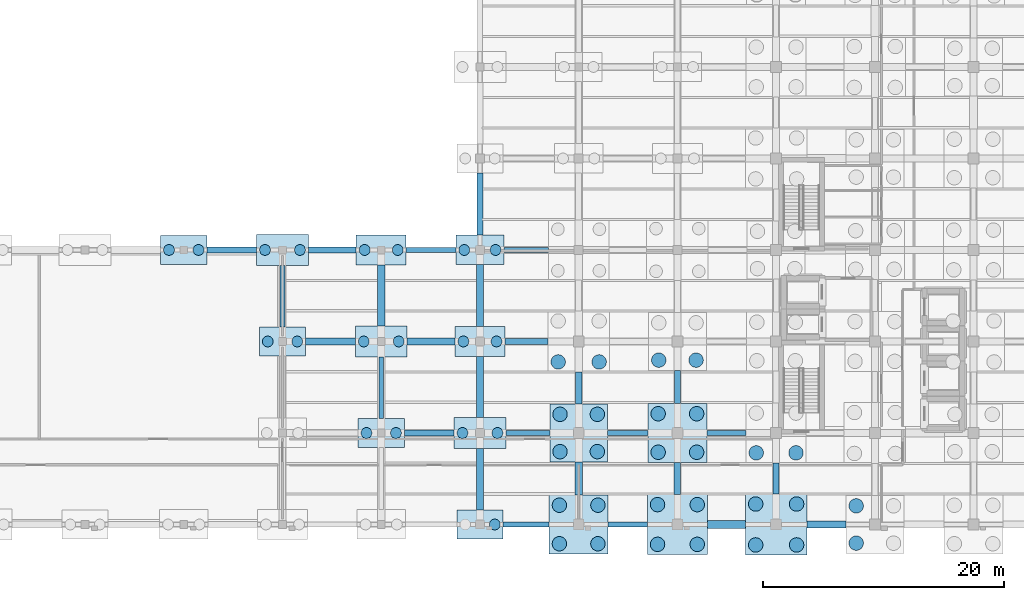
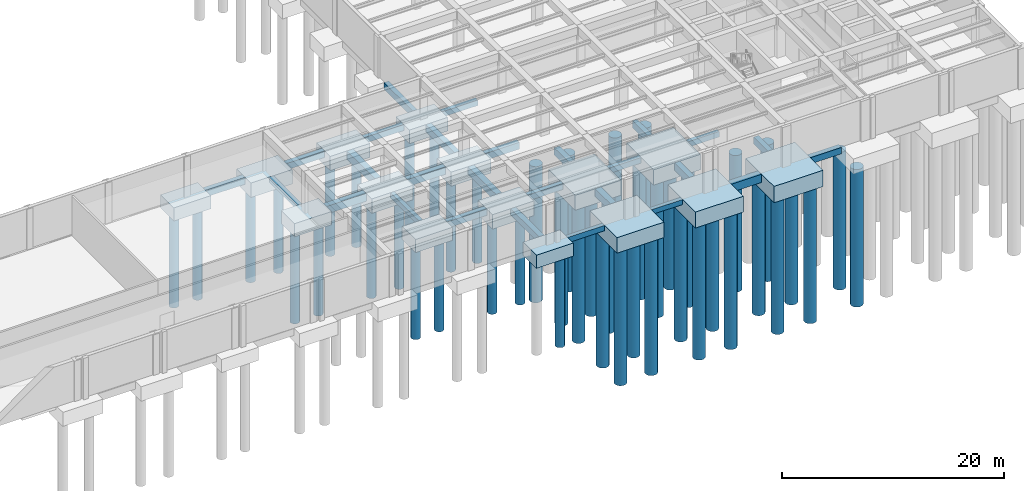
# One storey, part 2 of 29: 47 piles, 42 footings.
"""IFC4 building model written with IfcOpenShell, lengths in metres."""

from ifc_helpers import new_model, si_unit, direction, frame, origin, origin_2d, place, context, subcontext, project, spatial, rectangle, circle, extrude, material, material_profile, profile_set, type_object, element, save


model = new_model("IFC4")

# Units and contexts
model_context = context("Model", 3, precision=1e-05, world=origin(), true_north=direction((0.0, 1.0)))
body_context = subcontext(model_context, "Body", "Model", "MODEL_VIEW")
ifc_project = project(units=[si_unit("LENGTHUNIT", "METRE"), si_unit("AREAUNIT", "SQUARE_METRE"), si_unit("VOLUMEUNIT", "CUBIC_METRE"), si_unit("PLANEANGLEUNIT", "RADIAN"), si_unit("MASSUNIT", "GRAM", prefix="KILO")], contexts=[model_context])

# Site, building, storey
site_placement = place(None, origin())
site = spatial("IfcSite", under=ifc_project, at=site_placement, CompositionType="ELEMENT")
building_placement = place(site_placement, origin())
building = spatial("IfcBuilding", under=site, at=building_placement, Name="Qandaris Square Conservatory and Botanical Centre", CompositionType="ELEMENT")
storey_placement = place(building_placement, frame((0.0, 0.0, -4.800048828125)))
storey = spatial("IfcBuildingStorey", under=building, at=storey_placement, Name="B1", CompositionType="ELEMENT", Elevation=-4.800048828125)

# Piles
ifc_material_1 = material(Name="Concrete C50/60", Category="concrete")
ifc_material_profile_1 = material_profile(ifc_material_1, circle(Radius=0.60009765625, at=origin_2d()), Name="PILE D1200")
ifc_profile_set_1 = profile_set([ifc_material_profile_1], Name="Concrete C50/60")
pile_type_1 = type_object("IfcPileType", Name="Bored Pile D1200", PredefinedType="BORED", material=ifc_profile_set_1)
for number, where, z_axis, x_axis, name in (
    (1, (121.199951171875, 15.0, -1.599853515625), (0.0, 0.0, -1.0), (1.0, 0.0, 0.0), "Bored Pile B15-1"),
    (2, (124.39990234375, 15.0, -1.599853515625), (0.0, 0.0, -1.0), (1.0, 0.0, 0.0), "Bored Pile B15-2"),
    (3, (121.199951171875, 18.199951171875, -1.599853515625), (0.0, 0.0, -1.0), (1.0, 0.0, 0.0), "Bored Pile B15-3"),
    (4, (124.39990234375, 18.199951171875, -1.599853515625), (0.0, 0.0, -1.0), (1.0, 0.0, 0.0), "Bored Pile B15-4"),
):
    element("IfcPile", number, at=place(storey_placement, frame(where, z_axis=z_axis, x_axis=x_axis)), inside=storey, type_object=pile_type_1, Name=name, PredefinedType="BORED", context=body_context, shape_type="SweptSolid", body=[
        extrude(circle(Radius=0.60009765625, at=origin_2d()), origin(), (0.0, 0.0, 1.0), 15.10009765625),
    ])
for number, where, z_axis, x_axis, name in (
    (5, (121.25, 22.64990234375, -1.550048828125), (0.0, 0.0, -1.0), (1.0, 0.0, 0.0), "Bored Pile C15-1"),
    (6, (124.35009765625, 22.64990234375, -1.550048828125), (0.0, 0.0, -1.0), (1.0, 0.0, 0.0), "Bored Pile C15-2"),
    (7, (121.25, 25.75, -1.550048828125), (0.0, 0.0, -1.0), (1.0, 0.0, 0.0), "Bored Pile C15-3"),
    (8, (124.35009765625, 25.75, -1.550048828125), (0.0, 0.0, -1.0), (1.0, 0.0, 0.0), "Bored Pile C15-4"),
):
    element("IfcPile", number, at=place(storey_placement, frame(where, z_axis=z_axis, x_axis=x_axis)), inside=storey, type_object=pile_type_1, Name=name, PredefinedType="BORED", context=body_context, shape_type="SweptSolid", body=[
        extrude(circle(Radius=0.60009765625, at=origin_2d()), origin(), (0.0, 0.0, 1.0), 15.14990234375),
    ])
for number, where, z_axis, x_axis, name in (
    (9, (121.10009765625, 30.10009765625, -1.699951171875), (0.0, 0.0, -1.0), (1.0, 0.0, 0.0), "Bored Pile D15-1"),
    (10, (124.5, 30.10009765625, -1.699951171875), (0.0, 0.0, -1.0), (1.0, 0.0, 0.0), "Bored Pile D15-2"),
):
    element("IfcPile", number, at=place(storey_placement, frame(where, z_axis=z_axis, x_axis=x_axis)), inside=storey, type_object=pile_type_1, Name=name, PredefinedType="BORED", context=body_context, shape_type="SweptSolid", body=[
        extrude(circle(Radius=0.60009765625, at=origin_2d()), origin(), (0.0, 0.0, 1.0), 15.0),
    ])
for number, where, z_axis, x_axis, name in (
    (11, (129.35009765625, 14.949951171875, -1.64990234375), (0.0, 0.0, -1.0), (1.0, 0.0, 0.0), "Bored Pile B16-1"),
    (12, (132.64990234375, 14.949951171875, -1.64990234375), (0.0, 0.0, -1.0), (1.0, 0.0, 0.0), "Bored Pile B16-2"),
    (13, (129.35009765625, 18.25, -1.64990234375), (0.0, 0.0, -1.0), (1.0, 0.0, 0.0), "Bored Pile B16-3"),
    (14, (132.64990234375, 18.25, -1.64990234375), (0.0, 0.0, -1.0), (1.0, 0.0, 0.0), "Bored Pile B16-4"),
):
    element("IfcPile", number, at=place(storey_placement, frame(where, z_axis=z_axis, x_axis=x_axis)), inside=storey, type_object=pile_type_1, Name=name, PredefinedType="BORED", context=body_context, shape_type="SweptSolid", body=[
        extrude(circle(Radius=0.60009765625, at=origin_2d()), origin(), (0.0, 0.0, 1.0), 15.050048828125),
    ])
for number, where, z_axis, x_axis, name in (
    (15, (129.39990234375, 22.60009765625, -1.599853515625), (0.0, 0.0, -1.0), (1.0, 0.0, 0.0), "Bored Pile C16-1"),
    (16, (132.60009765625, 22.60009765625, -1.599853515625), (0.0, 0.0, -1.0), (1.0, 0.0, 0.0), "Bored Pile C16-2"),
    (17, (129.39990234375, 25.800048828125, -1.599853515625), (0.0, 0.0, -1.0), (1.0, 0.0, 0.0), "Bored Pile C16-3"),
    (18, (132.60009765625, 25.800048828125, -1.599853515625), (0.0, 0.0, -1.0), (1.0, 0.0, 0.0), "Bored Pile C16-4"),
):
    element("IfcPile", number, at=place(storey_placement, frame(where, z_axis=z_axis, x_axis=x_axis)), inside=storey, type_object=pile_type_1, Name=name, PredefinedType="BORED", context=body_context, shape_type="SweptSolid", body=[
        extrude(circle(Radius=0.60009765625, at=origin_2d()), origin(), (0.0, 0.0, 1.0), 15.10009765625),
    ])
for number, where, z_axis, x_axis, name in (
    (19, (129.449951171875, 30.25, -1.550048828125), (0.0, 0.0, -1.0), (1.0, 0.0, 0.0), "Bored Pile D16-1"),
    (20, (132.550048828125, 30.25, -1.550048828125), (0.0, 0.0, -1.0), (1.0, 0.0, 0.0), "Bored Pile D16-2"),
):
    element("IfcPile", number, at=place(storey_placement, frame(where, z_axis=z_axis, x_axis=x_axis)), inside=storey, type_object=pile_type_1, Name=name, PredefinedType="BORED", context=body_context, shape_type="SweptSolid", body=[
        extrude(circle(Radius=0.60009765625, at=origin_2d()), origin(), (0.0, 0.0, 1.0), 15.14990234375),
    ])
for number, where, z_axis, x_axis, name in (
    (21, (137.5, 14.89990234375, -1.699951171875), (0.0, 0.0, -1.0), (1.0, 0.0, 0.0), "Bored Pile B17-1"),
    (22, (140.89990234375, 14.89990234375, -1.699951171875), (0.0, 0.0, -1.0), (1.0, 0.0, 0.0), "Bored Pile B17-2"),
    (23, (137.5, 18.300048828125, -1.699951171875), (0.0, 0.0, -1.0), (1.0, 0.0, 0.0), "Bored Pile B17-3"),
    (24, (140.89990234375, 18.300048828125, -1.699951171875), (0.0, 0.0, -1.0), (1.0, 0.0, 0.0), "Bored Pile B17-4"),
):
    element("IfcPile", number, at=place(storey_placement, frame(where, z_axis=z_axis, x_axis=x_axis)), inside=storey, type_object=pile_type_1, Name=name, PredefinedType="BORED", context=body_context, shape_type="SweptSolid", body=[
        extrude(circle(Radius=0.60009765625, at=origin_2d()), origin(), (0.0, 0.0, 1.0), 15.0),
    ])
for number, where, z_axis, x_axis, name in (
    (25, (137.550048828125, 22.550048828125, -1.64990234375), (0.0, 0.0, -1.0), (1.0, 0.0, 0.0), "Bored Pile C17-1"),
    (26, (140.85009765625, 22.550048828125, -1.64990234375), (0.0, 0.0, -1.0), (1.0, 0.0, 0.0), "Bored Pile C17-2"),
):
    element("IfcPile", number, at=place(storey_placement, frame(where, z_axis=z_axis, x_axis=x_axis)), inside=storey, type_object=pile_type_1, Name=name, PredefinedType="BORED", context=body_context, shape_type="SweptSolid", body=[
        extrude(circle(Radius=0.60009765625, at=origin_2d()), origin(), (0.0, 0.0, 1.0), 15.050048828125),
    ])
for number, where, z_axis, x_axis, name in (
    (27, (145.85009765625, 15.050048828125, -1.550048828125), (0.0, 0.0, -1.0), (1.0, 0.0, 0.0), "Bored Pile B18-1"),
    (28, (145.85009765625, 18.14990234375, -1.550048828125), (0.0, 0.0, -1.0), (1.0, 0.0, 0.0), "Bored Pile B18-3"),
):
    element("IfcPile", number, at=place(storey_placement, frame(where, z_axis=z_axis, x_axis=x_axis)), inside=storey, type_object=pile_type_1, Name=name, PredefinedType="BORED", context=body_context, shape_type="SweptSolid", body=[
        extrude(circle(Radius=0.60009765625, at=origin_2d()), origin(), (0.0, 0.0, 1.0), 15.14990234375),
    ])
ifc_material_profile_2 = material_profile(ifc_material_1, circle(Radius=0.449951171875, at=origin_2d()), Name="PILE D900")
ifc_profile_set_2 = profile_set([ifc_material_profile_2], Name="Concrete C50/60")
pile_type_2 = type_object("IfcPileType", Name="Bored Pile D900", PredefinedType="BORED", material=ifc_profile_set_2)
for number, where, z_axis, x_axis, name in (
    (29, (88.77490234375, 39.39990234375, -1.349853515625), (0.0, 0.0, -1.0), (1.0, 0.0, 0.0), "Bored Pile E11-1"),
    (30, (91.22509765625, 39.39990234375, -1.349853515625), (0.0, 0.0, -1.0), (1.0, 0.0, 0.0), "Bored Pile E11-2"),
    (31, (96.97509765625, 31.800048828125, -1.349853515625), (0.0, 0.0, -1.0), (1.0, 0.0, 0.0), "Bored Pile D12-1"),
    (32, (99.425048828125, 31.800048828125, -1.349853515625), (0.0, 0.0, -1.0), (1.0, 0.0, 0.0), "Bored Pile D12-2"),
):
    element("IfcPile", number, at=place(storey_placement, frame(where, z_axis=z_axis, x_axis=x_axis)), inside=storey, type_object=pile_type_2, Name=name, PredefinedType="BORED", context=body_context, shape_type="SweptSolid", body=[
        extrude(circle(Radius=0.449951171875, at=origin_2d()), origin(), (0.0, 0.0, 1.0), 10.35009765625),
    ])
for number, where, z_axis, x_axis, name in (
    (33, (96.75, 39.39990234375, -1.5), (0.0, 0.0, -1.0), (1.0, 0.0, 0.0), "Bored Pile E12-1"),
    (34, (99.64990234375, 39.39990234375, -1.5), (0.0, 0.0, -1.0), (1.0, 0.0, 0.0), "Bored Pile E12-2"),
):
    element("IfcPile", number, at=place(storey_placement, frame(where, z_axis=z_axis, x_axis=x_axis)), inside=storey, type_object=pile_type_2, Name=name, PredefinedType="BORED", context=body_context, shape_type="SweptSolid", body=[
        extrude(circle(Radius=0.449951171875, at=origin_2d()), origin(), (0.0, 0.0, 1.0), 10.199951171875),
    ])
for number, where, z_axis, x_axis, name in (
    (35, (105.175048828125, 24.199951171875, -1.349853515625), (0.0, 0.0, -1.0), (1.0, 0.0, 0.0), "Bored Pile C13-1"),
    (36, (107.625, 24.199951171875, -1.349853515625), (0.0, 0.0, -1.0), (1.0, 0.0, 0.0), "Bored Pile C13-2"),
):
    element("IfcPile", number, at=place(storey_placement, frame(where, z_axis=z_axis, x_axis=x_axis)), inside=storey, type_object=pile_type_2, Name=name, PredefinedType="BORED", context=body_context, shape_type="SweptSolid", body=[
        extrude(circle(Radius=0.449951171875, at=origin_2d()), origin(), (0.0, 0.0, 1.0), 10.35009765625),
    ])
for number, where, z_axis, x_axis, name in (
    (37, (104.949951171875, 31.800048828125, -1.5), (0.0, 0.0, -1.0), (1.0, 0.0, 0.0), "Bored Pile D13-1"),
    (38, (107.85009765625, 31.800048828125, -1.5), (0.0, 0.0, -1.0), (1.0, 0.0, 0.0), "Bored Pile D13-2"),
):
    element("IfcPile", number, at=place(storey_placement, frame(where, z_axis=z_axis, x_axis=x_axis)), inside=storey, type_object=pile_type_2, Name=name, PredefinedType="BORED", context=body_context, shape_type="SweptSolid", body=[
        extrude(circle(Radius=0.449951171875, at=origin_2d()), origin(), (0.0, 0.0, 1.0), 10.199951171875),
    ])
for number, where, z_axis, x_axis, name in (
    (39, (105.02490234375, 39.39990234375, -1.449951171875), (0.0, 0.0, -1.0), (1.0, 0.0, 0.0), "Bored Pile E13-1"),
    (40, (107.77490234375, 39.39990234375, -1.449951171875), (0.0, 0.0, -1.0), (1.0, 0.0, 0.0), "Bored Pile E13-2"),
):
    element("IfcPile", number, at=place(storey_placement, frame(where, z_axis=z_axis, x_axis=x_axis)), inside=storey, type_object=pile_type_2, Name=name, PredefinedType="BORED", context=body_context, shape_type="SweptSolid", body=[
        extrude(circle(Radius=0.449951171875, at=origin_2d()), origin(), (0.0, 0.0, 1.0), 10.25),
    ])
pile_placement = place(storey_placement, frame((115.824951171875, 16.60009765625, -1.349853515625), z_axis=(0.0, 0.0, -1.0), x_axis=(1.0, 0.0, 0.0)))
element("IfcPile", 41, at=pile_placement, inside=storey, type_object=pile_type_2, Name="Bored Pile B14-2", PredefinedType="BORED", context=body_context, shape_type="SweptSolid", body=[
    extrude(circle(Radius=0.449951171875, at=origin_2d()), origin(), (0.0, 0.0, 1.0), 10.35009765625),
])
for number, where, z_axis, x_axis, name in (
    (42, (113.14990234375, 24.199951171875, -1.5), (0.0, 0.0, -1.0), (1.0, 0.0, 0.0), "Bored Pile C14-1"),
    (43, (116.050048828125, 24.199951171875, -1.5), (0.0, 0.0, -1.0), (1.0, 0.0, 0.0), "Bored Pile C14-2"),
):
    element("IfcPile", number, at=place(storey_placement, frame(where, z_axis=z_axis, x_axis=x_axis)), inside=storey, type_object=pile_type_2, Name=name, PredefinedType="BORED", context=body_context, shape_type="SweptSolid", body=[
        extrude(circle(Radius=0.449951171875, at=origin_2d()), origin(), (0.0, 0.0, 1.0), 10.199951171875),
    ])
for number, where, z_axis, x_axis, name in (
    (44, (113.22509765625, 31.800048828125, -1.449951171875), (0.0, 0.0, -1.0), (1.0, 0.0, 0.0), "Bored Pile D14-1"),
    (45, (115.97509765625, 31.800048828125, -1.449951171875), (0.0, 0.0, -1.0), (1.0, 0.0, 0.0), "Bored Pile D14-2"),
):
    element("IfcPile", number, at=place(storey_placement, frame(where, z_axis=z_axis, x_axis=x_axis)), inside=storey, type_object=pile_type_2, Name=name, PredefinedType="BORED", context=body_context, shape_type="SweptSolid", body=[
        extrude(circle(Radius=0.449951171875, at=origin_2d()), origin(), (0.0, 0.0, 1.0), 10.25),
    ])
for number, where, z_axis, x_axis, name in (
    (46, (113.300048828125, 39.39990234375, -1.39990234375), (0.0, 0.0, -1.0), (1.0, 0.0, 0.0), "Bored Pile E14-1"),
    (47, (115.89990234375, 39.39990234375, -1.39990234375), (0.0, 0.0, -1.0), (1.0, 0.0, 0.0), "Bored Pile E14-2"),
):
    element("IfcPile", number, at=place(storey_placement, frame(where, z_axis=z_axis, x_axis=x_axis)), inside=storey, type_object=pile_type_2, Name=name, PredefinedType="BORED", context=body_context, shape_type="SweptSolid", body=[
        extrude(circle(Radius=0.449951171875, at=origin_2d()), origin(), (0.0, 0.0, 1.0), 10.300048828125),
    ])

# Footings
ifc_material_2 = material(Name="Concrete C40/50", Category="concrete")
ifc_material_profile_3 = material_profile(ifc_material_2, rectangle(XDim=0.60009765625, YDim=0.85009765625, at=origin_2d()), Name="FB 600x850")
ifc_profile_set_3 = profile_set([ifc_material_profile_3], Name="Concrete C40/50")
footing_type_1 = type_object("IfcFootingType", Name="RC Ground Tie Beam FB-01", PredefinedType="FOOTING_BEAM", material=ifc_profile_set_3)
footing_1_placement = place(storey_placement, frame((100.125, 31.800048828125, -0.425048828125), z_axis=(1.0, 0.0, 0.0), x_axis=(0.0, 1.0, 0.0)))
element("IfcFooting", 48, at=footing_1_placement, inside=storey, type_object=footing_type_1, Name="Ground Tie Beam FB-01-021", PredefinedType="FOOTING_BEAM", context=body_context, shape_type="SweptSolid", body=[
    extrude(rectangle(XDim=0.60009765625, YDim=0.85009765625, at=origin_2d()), origin(), (0.0, 0.0, 1.0), 4.125),
])
footing_2_placement = place(storey_placement, frame((114.60009765625, 25.5, -0.425048828125), z_axis=(0.0, 1.0, 0.0), x_axis=(-1.0, 0.0, 0.0)))
element("IfcFooting", 49, at=footing_2_placement, inside=storey, type_object=footing_type_1, Name="Ground Tie Beam FB-01-111", PredefinedType="FOOTING_BEAM", context=body_context, shape_type="SweptSolid", body=[
    extrude(rectangle(XDim=0.60009765625, YDim=0.85009765625, at=origin_2d()), origin(), (0.0, 0.0, 1.0), 5.050048828125),
])
footing_3_placement = place(storey_placement, frame((122.800048828125, 19.050048828125, -0.425048828125), z_axis=(0.0, 1.0, 0.0), x_axis=(-1.0, 0.0, 0.0)))
element("IfcFooting", 50, at=footing_3_placement, inside=storey, type_object=footing_type_1, Name="Ground Tie Beam FB-01-121", PredefinedType="FOOTING_BEAM", context=body_context, shape_type="SweptSolid", body=[
    extrude(rectangle(XDim=0.60009765625, YDim=0.85009765625, at=origin_2d()), origin(), (0.0, 0.0, 1.0), 2.75),
])
ifc_material_profile_4 = material_profile(ifc_material_2, rectangle(XDim=0.550048828125, YDim=0.800048828125, at=origin_2d()), Name="FB 550x800")
ifc_profile_set_4 = profile_set([ifc_material_profile_4], Name="Concrete C40/50")
footing_type_2 = type_object("IfcFootingType", Name="RC Ground Tie Beam FB-02", PredefinedType="FOOTING_BEAM", material=ifc_profile_set_4)
footing_4_placement = place(storey_placement, frame((108.550048828125, 31.800048828125, -0.39990234375), z_axis=(1.0, 0.0, 0.0), x_axis=(0.0, 1.0, 0.0)))
element("IfcFooting", 51, at=footing_4_placement, inside=storey, type_object=footing_type_2, Name="Ground Tie Beam FB-02-022", PredefinedType="FOOTING_BEAM", context=body_context, shape_type="SweptSolid", body=[
    extrude(rectangle(XDim=0.550048828125, YDim=0.800048828125, at=origin_2d()), origin(), (0.0, 0.0, 1.0), 3.974853515625),
])
footing_5_placement = place(storey_placement, frame((114.60009765625, 33.050048828125, -0.39990234375), z_axis=(0.0, 1.0, 0.0), x_axis=(-1.0, 0.0, 0.0)))
element("IfcFooting", 52, at=footing_5_placement, inside=storey, type_object=footing_type_2, Name="Ground Tie Beam FB-02-112", PredefinedType="FOOTING_BEAM", context=body_context, shape_type="SweptSolid", body=[
    extrude(rectangle(XDim=0.550048828125, YDim=0.800048828125, at=origin_2d()), origin(), (0.0, 0.0, 1.0), 5.125),
])
for number, where, z_axis, x_axis, name in (
    (53, (122.800048828125, 26.60009765625, -0.39990234375), (0.0, 1.0, 0.0), (-1.0, 0.0, 0.0), "Ground Tie Beam FB-02-122"),
    (54, (131.0, 19.10009765625, -0.39990234375), (0.0, 1.0, 0.0), (-1.0, 0.0, 0.0), "Ground Tie Beam FB-02-132"),
):
    element("IfcFooting", number, at=place(storey_placement, frame(where, z_axis=z_axis, x_axis=x_axis)), inside=storey, type_object=footing_type_2, Name=name, PredefinedType="FOOTING_BEAM", context=body_context, shape_type="SweptSolid", body=[
        extrude(rectangle(XDim=0.550048828125, YDim=0.800048828125, at=origin_2d()), origin(), (0.0, 0.0, 1.0), 2.64990234375),
    ])
ifc_material_profile_5 = material_profile(ifc_material_2, rectangle(XDim=0.5, YDim=0.75, at=origin_2d()), Name="FB 500x750")
ifc_profile_set_5 = profile_set([ifc_material_profile_5], Name="Concrete C40/50")
footing_type_3 = type_object("IfcFootingType", Name="RC Ground Tie Beam FB-03", PredefinedType="FOOTING_BEAM", material=ifc_profile_set_5)
footing_6_placement = place(storey_placement, frame((116.675048828125, 31.800048828125, -0.375), z_axis=(1.0, 0.0, 0.0), x_axis=(0.0, 1.0, 0.0)))
element("IfcFooting", 55, at=footing_6_placement, inside=storey, type_object=footing_type_3, Name="Ground Tie Beam FB-03-023", PredefinedType="FOOTING_BEAM", context=body_context, shape_type="SweptSolid", body=[
    extrude(rectangle(XDim=0.5, YDim=0.75, at=origin_2d()), origin(), (0.0, 0.0, 1.0), 3.574951171875),
])
footing_7_placement = place(storey_placement, frame((91.925048828125, 39.39990234375, -0.375), z_axis=(1.0, 0.0, 0.0), x_axis=(0.0, 1.0, 0.0)))
element("IfcFooting", 56, at=footing_7_placement, inside=storey, type_object=footing_type_3, Name="Ground Tie Beam FB-03-033", PredefinedType="FOOTING_BEAM", context=body_context, shape_type="SweptSolid", body=[
    extrude(rectangle(XDim=0.5, YDim=0.75, at=origin_2d()), origin(), (0.0, 0.0, 1.0), 4.125),
])
footing_8_placement = place(storey_placement, frame((114.60009765625, 40.625, -0.375), z_axis=(0.0, 1.0, 0.0), x_axis=(-1.0, 0.0, 0.0)))
element("IfcFooting", 57, at=footing_8_placement, inside=storey, type_object=footing_type_3, Name="Ground Tie Beam FB-03-113", PredefinedType="FOOTING_BEAM", context=body_context, shape_type="SweptSolid", body=[
    extrude(rectangle(XDim=0.5, YDim=0.75, at=origin_2d()), origin(), (0.0, 0.0, 1.0), 5.175048828125),
])
footing_9_placement = place(storey_placement, frame((131.0, 26.64990234375, -0.375), z_axis=(0.0, 1.0, 0.0), x_axis=(-1.0, 0.0, 0.0)))
element("IfcFooting", 58, at=footing_9_placement, inside=storey, type_object=footing_type_3, Name="Ground Tie Beam FB-03-133", PredefinedType="FOOTING_BEAM", context=body_context, shape_type="SweptSolid", body=[
    extrude(rectangle(XDim=0.5, YDim=0.75, at=origin_2d()), origin(), (0.0, 0.0, 1.0), 2.75),
])
footing_10_placement = place(storey_placement, frame((139.199951171875, 19.14990234375, -0.375), z_axis=(0.0, 1.0, 0.0), x_axis=(-1.0, 0.0, 0.0)))
element("IfcFooting", 59, at=footing_10_placement, inside=storey, type_object=footing_type_3, Name="Ground Tie Beam FB-03-143", PredefinedType="FOOTING_BEAM", context=body_context, shape_type="SweptSolid", body=[
    extrude(rectangle(XDim=0.5, YDim=0.75, at=origin_2d()), origin(), (0.0, 0.0, 1.0), 2.550048828125),
])
ifc_material_profile_6 = material_profile(ifc_material_2, rectangle(XDim=0.5, YDim=0.699951171875, at=origin_2d()), Name="FB 500x700")
ifc_profile_set_6 = profile_set([ifc_material_profile_6], Name="Concrete C40/50")
footing_type_4 = type_object("IfcFootingType", Name="RC Ground Tie Beam FB-04", PredefinedType="FOOTING_BEAM", material=ifc_profile_set_6)
footing_11_placement = place(storey_placement, frame((108.324951171875, 24.199951171875, -0.349853515625), z_axis=(1.0, 0.0, 0.0), x_axis=(0.0, 1.0, 0.0)))
element("IfcFooting", 60, at=footing_11_placement, inside=storey, type_object=footing_type_4, Name="Ground Tie Beam FB-04-014", PredefinedType="FOOTING_BEAM", context=body_context, shape_type="SweptSolid", body=[
    extrude(rectangle(XDim=0.5, YDim=0.699951171875, at=origin_2d()), origin(), (0.0, 0.0, 1.0), 4.125),
])
footing_12_placement = place(storey_placement, frame((100.35009765625, 39.39990234375, -0.349853515625), z_axis=(1.0, 0.0, 0.0), x_axis=(0.0, 1.0, 0.0)))
element("IfcFooting", 61, at=footing_12_placement, inside=storey, type_object=footing_type_4, Name="Ground Tie Beam FB-04-034", PredefinedType="FOOTING_BEAM", context=body_context, shape_type="SweptSolid", body=[
    extrude(rectangle(XDim=0.5, YDim=0.699951171875, at=origin_2d()), origin(), (0.0, 0.0, 1.0), 3.974853515625),
])
ifc_material_profile_7 = material_profile(ifc_material_2, rectangle(XDim=0.449951171875, YDim=0.64990234375, at=origin_2d()), Name="FB 450x650")
ifc_profile_set_7 = profile_set([ifc_material_profile_7], Name="Concrete C40/50")
footing_type_5 = type_object("IfcFootingType", Name="RC Ground Tie Beam FB-05", PredefinedType="FOOTING_BEAM", material=ifc_profile_set_7)
footing_13_placement = place(storey_placement, frame((116.75, 24.199951171875, -0.324951171875), z_axis=(1.0, 0.0, 0.0), x_axis=(0.0, 1.0, 0.0)))
element("IfcFooting", 62, at=footing_13_placement, inside=storey, type_object=footing_type_5, Name="Ground Tie Beam FB-05-015", PredefinedType="FOOTING_BEAM", context=body_context, shape_type="SweptSolid", body=[
    extrude(rectangle(XDim=0.449951171875, YDim=0.64990234375, at=origin_2d()), origin(), (0.0, 0.0, 1.0), 3.64990234375),
])
footing_14_placement = place(storey_placement, frame((108.47509765625, 39.39990234375, -0.324951171875), z_axis=(1.0, 0.0, 0.0), x_axis=(0.0, 1.0, 0.0)))
element("IfcFooting", 63, at=footing_14_placement, inside=storey, type_object=footing_type_5, Name="Ground Tie Beam FB-05-035", PredefinedType="FOOTING_BEAM", context=body_context, shape_type="SweptSolid", body=[
    extrude(rectangle(XDim=0.449951171875, YDim=0.64990234375, at=origin_2d()), origin(), (0.0, 0.0, 1.0), 4.125),
])
ifc_material_profile_8 = material_profile(ifc_material_2, rectangle(XDim=0.449951171875, YDim=0.60009765625, at=origin_2d()), Name="FB 450x600")
ifc_profile_set_8 = profile_set([ifc_material_profile_8], Name="Concrete C40/50")
footing_type_6 = type_object("IfcFootingType", Name="RC Ground Tie Beam FB-06", PredefinedType="FOOTING_BEAM", material=ifc_profile_set_8)
footing_15_placement = place(storey_placement, frame((125.199951171875, 24.199951171875, -0.300048828125), z_axis=(1.0, 0.0, 0.0), x_axis=(0.0, 1.0, 0.0)))
element("IfcFooting", 64, at=footing_15_placement, inside=storey, type_object=footing_type_6, Name="Ground Tie Beam FB-06-016", PredefinedType="FOOTING_BEAM", context=body_context, shape_type="SweptSolid", body=[
    extrude(rectangle(XDim=0.449951171875, YDim=0.60009765625, at=origin_2d()), origin(), (0.0, 0.0, 1.0), 3.35009765625),
])
footing_16_placement = place(storey_placement, frame((116.60009765625, 39.39990234375, -0.300048828125), z_axis=(1.0, 0.0, 0.0), x_axis=(0.0, 1.0, 0.0)))
element("IfcFooting", 65, at=footing_16_placement, inside=storey, type_object=footing_type_6, Name="Ground Tie Beam FB-06-036", PredefinedType="FOOTING_BEAM", context=body_context, shape_type="SweptSolid", body=[
    extrude(rectangle(XDim=0.449951171875, YDim=0.60009765625, at=origin_2d()), origin(), (0.0, 0.0, 1.0), 3.699951171875),
])
footing_17_placement = place(storey_placement, frame((98.199951171875, 33.0, -0.300048828125), z_axis=(0.0, 1.0, 0.0), x_axis=(-1.0, 0.0, 0.0)))
element("IfcFooting", 66, at=footing_17_placement, inside=storey, type_object=footing_type_6, Name="Ground Tie Beam FB-06-106", PredefinedType="FOOTING_BEAM", context=body_context, shape_type="SweptSolid", body=[
    extrude(rectangle(XDim=0.449951171875, YDim=0.60009765625, at=origin_2d()), origin(), (0.0, 0.0, 1.0), 5.10009765625),
])
ifc_material_profile_9 = material_profile(ifc_material_2, rectangle(XDim=0.39990234375, YDim=0.60009765625, at=origin_2d()), Name="FB 400x600")
ifc_profile_set_9 = profile_set([ifc_material_profile_9], Name="Concrete C40/50")
footing_type_7 = type_object("IfcFootingType", Name="RC Ground Tie Beam FB-07", PredefinedType="FOOTING_BEAM", material=ifc_profile_set_9)
footing_18_placement = place(storey_placement, frame((116.52490234375, 16.60009765625, -0.300048828125), z_axis=(1.0, 0.0, 0.0), x_axis=(0.0, 1.0, 0.0)))
element("IfcFooting", 67, at=footing_18_placement, inside=storey, type_object=footing_type_7, Name="Ground Tie Beam FB-07-007", PredefinedType="FOOTING_BEAM", context=body_context, shape_type="SweptSolid", body=[
    extrude(rectangle(XDim=0.39990234375, YDim=0.60009765625, at=origin_2d()), origin(), (0.0, 0.0, 1.0), 3.8251953125),
])
footing_19_placement = place(storey_placement, frame((133.449951171875, 24.199951171875, -0.300048828125), z_axis=(1.0, 0.0, 0.0), x_axis=(0.0, 1.0, 0.0)))
element("IfcFooting", 68, at=footing_19_placement, inside=storey, type_object=footing_type_7, Name="Ground Tie Beam FB-07-017", PredefinedType="FOOTING_BEAM", context=body_context, shape_type="SweptSolid", body=[
    extrude(rectangle(XDim=0.39990234375, YDim=0.60009765625, at=origin_2d()), origin(), (0.0, 0.0, 1.0), 3.25),
])
ifc_material_profile_10 = material_profile(ifc_material_2, rectangle(XDim=0.39990234375, YDim=0.550048828125, at=origin_2d()), Name="FB 400x550")
ifc_profile_set_10 = profile_set([ifc_material_profile_10], Name="Concrete C40/50")
footing_type_8 = type_object("IfcFootingType", Name="RC Ground Tie Beam FB-08", PredefinedType="FOOTING_BEAM", material=ifc_profile_set_10)
footing_20_placement = place(storey_placement, frame((125.25, 16.60009765625, -0.27490234375), z_axis=(1.0, 0.0, 0.0), x_axis=(0.0, 1.0, 0.0)))
element("IfcFooting", 69, at=footing_20_placement, inside=storey, type_object=footing_type_8, Name="Ground Tie Beam FB-08-008", PredefinedType="FOOTING_BEAM", context=body_context, shape_type="SweptSolid", body=[
    extrude(rectangle(XDim=0.39990234375, YDim=0.550048828125, at=origin_2d()), origin(), (0.0, 0.0, 1.0), 3.25),
])
footing_21_placement = place(storey_placement, frame((106.39990234375, 25.39990234375, -0.27490234375), z_axis=(0.0, 1.0, 0.0), x_axis=(-1.0, 0.0, 0.0)))
element("IfcFooting", 70, at=footing_21_placement, inside=storey, type_object=footing_type_8, Name="Ground Tie Beam FB-08-108", PredefinedType="FOOTING_BEAM", context=body_context, shape_type="SweptSolid", body=[
    extrude(rectangle(XDim=0.39990234375, YDim=0.550048828125, at=origin_2d()), origin(), (0.0, 0.0, 1.0), 5.10009765625),
])
ifc_material_profile_11 = material_profile(ifc_material_2, rectangle(XDim=0.64990234375, YDim=0.89990234375, at=origin_2d()), Name="FB 650x900")
ifc_profile_set_11 = profile_set([ifc_material_profile_11], Name="Concrete C40/50")
footing_type_9 = type_object("IfcFootingType", Name="RC Ground Tie Beam FB-09", PredefinedType="FOOTING_BEAM", material=ifc_profile_set_11)
footing_22_placement = place(storey_placement, frame((133.5, 16.60009765625, -0.449951171875), z_axis=(1.0, 0.0, 0.0), x_axis=(0.0, 1.0, 0.0)))
element("IfcFooting", 71, at=footing_22_placement, inside=storey, type_object=footing_type_9, Name="Ground Tie Beam FB-09-009", PredefinedType="FOOTING_BEAM", context=body_context, shape_type="SweptSolid", body=[
    extrude(rectangle(XDim=0.64990234375, YDim=0.89990234375, at=origin_2d()), origin(), (0.0, 0.0, 1.0), 3.14990234375),
])
footing_23_placement = place(storey_placement, frame((106.39990234375, 33.10009765625, -0.449951171875), z_axis=(0.0, 1.0, 0.0), x_axis=(-1.0, 0.0, 0.0)))
element("IfcFooting", 72, at=footing_23_placement, inside=storey, type_object=footing_type_9, Name="Ground Tie Beam FB-09-109", PredefinedType="FOOTING_BEAM", context=body_context, shape_type="SweptSolid", body=[
    extrude(rectangle(XDim=0.64990234375, YDim=0.89990234375, at=origin_2d()), origin(), (0.0, 0.0, 1.0), 5.0498046875),
])
ifc_material_profile_12 = material_profile(ifc_material_2, rectangle(XDim=0.550048828125, YDim=0.699951171875, at=origin_2d()), Name="FB 550x700")
ifc_profile_set_12 = profile_set([ifc_material_profile_12], Name="Concrete C40/50")
footing_type_10 = type_object("IfcFootingType", Name="RC Ground Tie Beam FB-10", PredefinedType="FOOTING_BEAM", material=ifc_profile_set_12)
footing_24_placement = place(storey_placement, frame((141.75, 16.60009765625, -0.349853515625), z_axis=(1.0, 0.0, 0.0), x_axis=(0.0, 1.0, 0.0)))
element("IfcFooting", 73, at=footing_24_placement, inside=storey, type_object=footing_type_10, Name="Ground Tie Beam FB-10-010", PredefinedType="FOOTING_BEAM", context=body_context, shape_type="SweptSolid", body=[
    extrude(rectangle(XDim=0.550048828125, YDim=0.699951171875, at=origin_2d()), origin(), (0.0, 0.0, 1.0), 3.25),
])
footing_25_placement = place(storey_placement, frame((114.60009765625, 17.800048828125, -0.349853515625), z_axis=(0.0, 1.0, 0.0), x_axis=(-1.0, 0.0, 0.0)))
element("IfcFooting", 74, at=footing_25_placement, inside=storey, type_object=footing_type_10, Name="Ground Tie Beam FB-10-110", PredefinedType="FOOTING_BEAM", context=body_context, shape_type="SweptSolid", body=[
    extrude(rectangle(XDim=0.550048828125, YDim=0.699951171875, at=origin_2d()), origin(), (0.0, 0.0, 1.0), 5.099853515625),
])
footing_type_11 = type_object("IfcFootingType", Name="RC Pile Cap PC-01", PredefinedType="PILE_CAP", material=ifc_material_2)
footing_26_placement = place(storey_placement, frame((139.199951171875, 16.60009765625, -1.7998046875), z_axis=(0.0, 0.0, 1.0), x_axis=(1.0, 0.0, 0.0)))
element("IfcFooting", 75, at=footing_26_placement, inside=storey, type_object=footing_type_11, Name="Pile Cap PC-01 at B17", PredefinedType="PILE_CAP", context=body_context, shape_type="SweptSolid", body=[
    extrude(rectangle(XDim=5.10009765625, YDim=5.10009765625, at=origin_2d()), origin(), (0.0, 0.0, 1.0), 1.800048828125),
])
footing_type_12 = type_object("IfcFootingType", Name="RC Pile Cap PC-02", PredefinedType="PILE_CAP", material=ifc_material_2)
footing_27_placement = place(storey_placement, frame((131.0, 16.60009765625, -1.75), z_axis=(0.0, 0.0, 1.0), x_axis=(1.0, 0.0, 0.0)))
element("IfcFooting", 76, at=footing_27_placement, inside=storey, type_object=footing_type_12, Name="Pile Cap PC-02 at B16", PredefinedType="PILE_CAP", context=body_context, shape_type="SweptSolid", body=[
    extrude(rectangle(XDim=5.0, YDim=5.0, at=origin_2d()), origin(), (0.0, 0.0, 1.0), 1.75),
])
footing_type_13 = type_object("IfcFootingType", Name="RC Pile Cap PC-03", PredefinedType="PILE_CAP", material=ifc_material_2)
for number, where, z_axis, x_axis, name in (
    (77, (122.800048828125, 16.60009765625, -1.69970703125), (0.0, 0.0, 1.0), (1.0, 0.0, 0.0), "Pile Cap PC-03 at B15"),
    (78, (131.0, 24.199951171875, -1.69970703125), (0.0, 0.0, 1.0), (1.0, 0.0, 0.0), "Pile Cap PC-03 at C16"),
):
    element("IfcFooting", number, at=place(storey_placement, frame(where, z_axis=z_axis, x_axis=x_axis)), inside=storey, type_object=footing_type_13, Name=name, PredefinedType="PILE_CAP", context=body_context, shape_type="SweptSolid", body=[
        extrude(rectangle(XDim=4.89990234375, YDim=4.89990234375, at=origin_2d()), origin(), (0.0, 0.0, 1.0), 1.699951171875),
    ])
footing_type_14 = type_object("IfcFootingType", Name="RC Pile Cap PC-04", PredefinedType="PILE_CAP", material=ifc_material_2)
footing_28_placement = place(storey_placement, frame((122.800048828125, 24.199951171875, -1.64990234375), z_axis=(0.0, 0.0, 1.0), x_axis=(1.0, 0.0, 0.0)))
element("IfcFooting", 79, at=footing_28_placement, inside=storey, type_object=footing_type_14, Name="Pile Cap PC-04 at C15", PredefinedType="PILE_CAP", context=body_context, shape_type="SweptSolid", body=[
    extrude(rectangle(XDim=4.800048828125, YDim=4.800048828125, at=origin_2d()), origin(), (0.0, 0.0, 1.0), 1.64990234375),
])
footing_type_15 = type_object("IfcFootingType", Name="RC Pile Cap PC-05", PredefinedType="PILE_CAP", material=ifc_material_2)
for number, where, z_axis, x_axis, name in (
    (80, (98.199951171875, 39.39990234375, -1.60009765625), (0.0, 0.0, 1.0), (1.0, 0.0, 0.0), "Pile Cap PC-05 at E12"),
    (81, (106.39990234375, 31.800048828125, -1.60009765625), (0.0, 0.0, 1.0), (1.0, 0.0, 0.0), "Pile Cap PC-05 at D13"),
    (82, (114.60009765625, 24.199951171875, -1.60009765625), (0.0, 0.0, 1.0), (1.0, 0.0, 0.0), "Pile Cap PC-05 at C14"),
):
    element("IfcFooting", number, at=place(storey_placement, frame(where, z_axis=z_axis, x_axis=x_axis)), inside=storey, type_object=footing_type_15, Name=name, PredefinedType="PILE_CAP", context=body_context, shape_type="SweptSolid", body=[
        extrude(rectangle(XDim=4.300048828125, YDim=2.60009765625, at=origin_2d()), origin(), (0.0, 0.0, 1.0), 1.60009765625),
    ])
footing_type_16 = type_object("IfcFootingType", Name="RC Pile Cap PC-06", PredefinedType="PILE_CAP", material=ifc_material_2)
for number, where, z_axis, x_axis, name in (
    (83, (106.39990234375, 39.39990234375, -1.5498046875), (0.0, 0.0, 1.0), (1.0, 0.0, 0.0), "Pile Cap PC-06 at E13"),
    (84, (114.60009765625, 31.800048828125, -1.5498046875), (0.0, 0.0, 1.0), (1.0, 0.0, 0.0), "Pile Cap PC-06 at D14"),
):
    element("IfcFooting", number, at=place(storey_placement, frame(where, z_axis=z_axis, x_axis=x_axis)), inside=storey, type_object=footing_type_16, Name=name, PredefinedType="PILE_CAP", context=body_context, shape_type="SweptSolid", body=[
        extrude(rectangle(XDim=4.14990234375, YDim=2.5, at=origin_2d()), origin(), (0.0, 0.0, 1.0), 1.550048828125),
    ])
footing_type_17 = type_object("IfcFootingType", Name="RC Pile Cap PC-07", PredefinedType="PILE_CAP", material=ifc_material_2)
footing_29_placement = place(storey_placement, frame((114.60009765625, 39.39990234375, -1.5), z_axis=(0.0, 0.0, 1.0), x_axis=(1.0, 0.0, 0.0)))
element("IfcFooting", 85, at=footing_29_placement, inside=storey, type_object=footing_type_17, Name="Pile Cap PC-07 at E14", PredefinedType="PILE_CAP", context=body_context, shape_type="SweptSolid", body=[
    extrude(rectangle(XDim=4.0, YDim=2.449951171875, at=origin_2d()), origin(), (0.0, 0.0, 1.0), 1.5),
])
footing_type_18 = type_object("IfcFootingType", Name="RC Pile Cap PC-08", PredefinedType="PILE_CAP", material=ifc_material_2)
for number, where, z_axis, x_axis, name in (
    (86, (90.0, 39.39990234375, -1.44970703125), (0.0, 0.0, 1.0), (1.0, 0.0, 0.0), "Pile Cap PC-08 at E11"),
    (87, (98.199951171875, 31.800048828125, -1.44970703125), (0.0, 0.0, 1.0), (1.0, 0.0, 0.0), "Pile Cap PC-08 at D12"),
    (88, (106.39990234375, 24.199951171875, -1.44970703125), (0.0, 0.0, 1.0), (1.0, 0.0, 0.0), "Pile Cap PC-08 at C13"),
    (89, (114.60009765625, 16.60009765625, -1.44970703125), (0.0, 0.0, 1.0), (1.0, 0.0, 0.0), "Pile Cap PC-08 at B14"),
):
    element("IfcFooting", number, at=place(storey_placement, frame(where, z_axis=z_axis, x_axis=x_axis)), inside=storey, type_object=footing_type_18, Name=name, PredefinedType="PILE_CAP", context=body_context, shape_type="SweptSolid", body=[
        extrude(rectangle(XDim=3.85009765625, YDim=2.39990234375, at=origin_2d()), origin(), (0.0, 0.0, 1.0), 1.449951171875),
    ])

save(model, "model.ifc")
